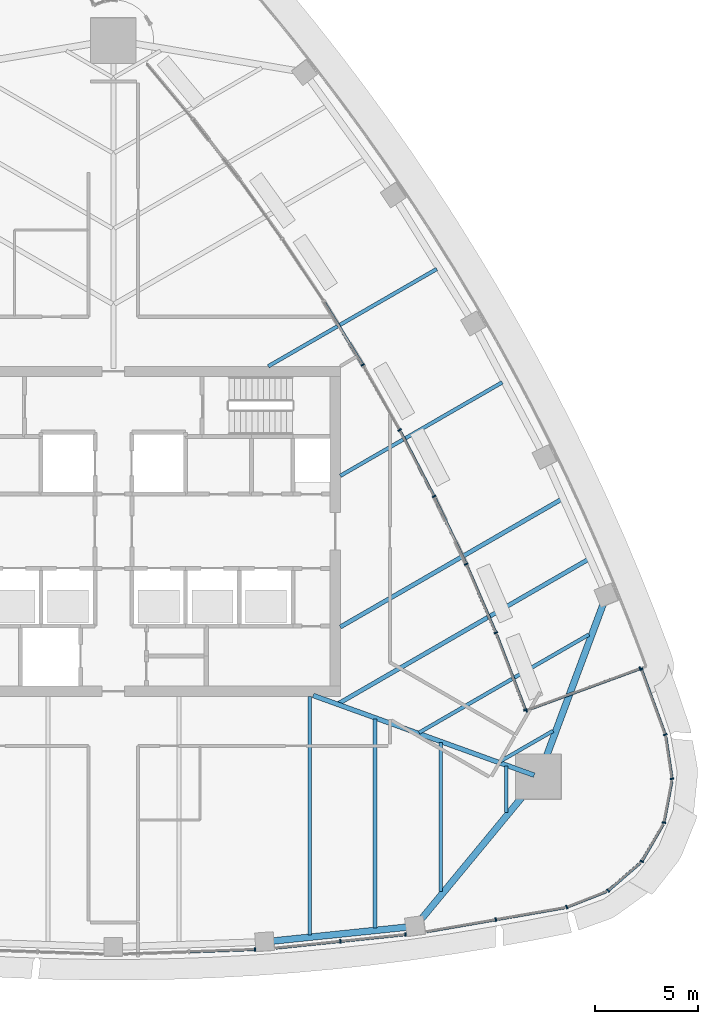
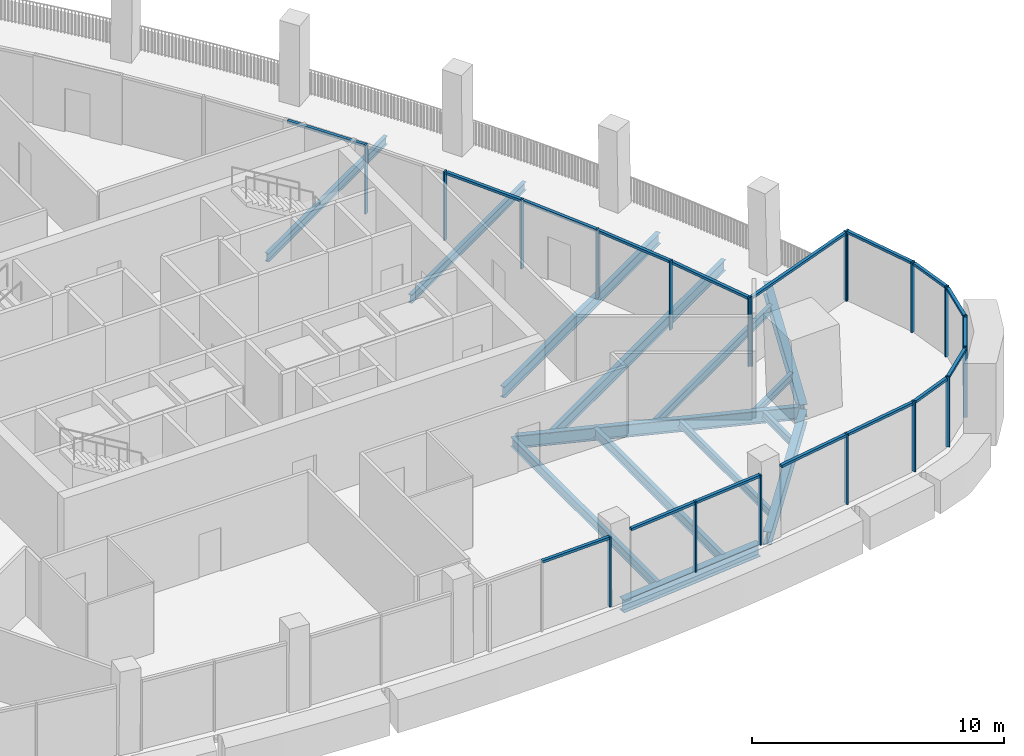
# One storey, part 4 of 18: 36 members, 14 beams, 16 elements without a shape of their own.
"""IFC4 building model written with IfcOpenShell, lengths in metres."""

from ifc_helpers import new_model, si_unit, direction, frame, origin, origin_2d, place, context, subcontext, project, spatial, rectangle, i_section, extrude, material, layer, layer_set, material_profile, profile_set, type_object, element, aggregate, save


model = new_model("IFC4")

# Units and contexts
model_context = context("Model", 3, precision=1e-05, world=origin(), true_north=direction((0.0, 1.0)))
body_context = subcontext(model_context, "Body", "Model", "MODEL_VIEW")
ifc_project = project(units=[si_unit("LENGTHUNIT", "METRE"), si_unit("AREAUNIT", "SQUARE_METRE"), si_unit("VOLUMEUNIT", "CUBIC_METRE"), si_unit("PLANEANGLEUNIT", "RADIAN"), si_unit("MASSUNIT", "GRAM", prefix="KILO")], contexts=[model_context])

# Site, building, storey
site_placement = place(None, origin())
site = spatial("IfcSite", under=ifc_project, at=site_placement, CompositionType="ELEMENT")
building_placement = place(site_placement, origin())
building = spatial("IfcBuilding", under=site, at=building_placement, Name="Sierra Prisma Convention Tower", CompositionType="ELEMENT")
storey_placement = place(building_placement, frame((0.0, 0.0, 291.0)))
storey = spatial("IfcBuildingStorey", under=building, at=storey_placement, Name="L66", CompositionType="ELEMENT", Elevation=291.0)

# Curtain wall, member
ifc_material_1 = material(Name="Aluminium and glass curtain wall", Category="aluminium")
ifc_layer_1 = layer(ifc_material_1, 0.179931640625)
ifc_layer_set_1 = layer_set([ifc_layer_1], Name="CW-1 Plain shaft curtain wall")
curtain_wall_type_1 = type_object("IfcCurtainWallType", Name="CW-1 Plain shaft curtain wall", PredefinedType="NOTDEFINED", material=ifc_layer_set_1)
curtain_wall_1_placement = place(storey_placement, origin())
curtain_wall_1 = element("IfcCurtainWall", 1, at=curtain_wall_1_placement, inside=storey, type_object=curtain_wall_type_1, Name="CW-1 S4 L66", PredefinedType="NOTDEFINED")
ifc_material_2 = material(Name="Aluminium 6063-T6 bronze anodised", Category="aluminium")
ifc_material_profile_1 = material_profile(ifc_material_2, rectangle(XDim=0.179931640625, YDim=0.070068359375, at=origin_2d()), Name="ALU MULLION 70x180")
ifc_profile_set_1 = profile_set([ifc_material_profile_1], Name="Aluminium 6063-T6 bronze anodised")
member_type_1 = type_object("IfcMemberType", Name="CW mullion bronze", PredefinedType="MULLION", material=ifc_profile_set_1)
member_1_placement = place(storey_placement, frame((6.865478515625, -20.270751953125, 0.0), z_axis=(0.0, 0.0, 1.0), x_axis=(-0.03440708538, 0.999407900947, 0.0)))
member_1 = element("IfcMember", 2, at=member_1_placement, type_object=member_type_1, Name="CW-1 mullion S4.3", PredefinedType="MULLION", context=body_context, shape_type="SweptSolid", body=[
    extrude(rectangle(XDim=0.179931640625, YDim=0.070068359375, at=origin_2d()), origin(), (0.0, 0.0, 1.0), 3.39990234375),
])

# Curtain wall, members
curtain_wall_2_placement = place(storey_placement, origin())
curtain_wall_2 = element("IfcCurtainWall", 3, at=curtain_wall_2_placement, inside=storey, type_object=curtain_wall_type_1, Name="CW-1 S5 L66", PredefinedType="NOTDEFINED")
member_2_placement = place(storey_placement, frame((11.004150390625, -19.876220703125, 0.0), z_axis=(0.0, 0.0, 1.0), x_axis=(-0.10305832515, 0.994675314672, 0.0)))
member_2 = element("IfcMember", 4, at=member_2_placement, type_object=member_type_1, Name="CW-1 mullion S5.2", PredefinedType="MULLION", context=body_context, shape_type="SweptSolid", body=[
    extrude(rectangle(XDim=0.179931640625, YDim=0.070068359375, at=origin_2d()), origin(), (0.0, 0.0, 1.0), 3.39990234375),
])
member_3_placement = place(storey_placement, frame((14.163818359375, -19.549072265625, 0.0), z_axis=(0.0, 0.0, 1.0), x_axis=(-0.10305832515, 0.994675314672, 0.0)))
member_3 = element("IfcMember", 5, at=member_3_placement, type_object=member_type_1, Name="CW-1 mullion S5.3", PredefinedType="MULLION", context=body_context, shape_type="SweptSolid", body=[
    extrude(rectangle(XDim=0.179931640625, YDim=0.070068359375, at=origin_2d()), origin(), (0.0, 0.0, 1.0), 3.39990234375),
])

# Curtain wall, member
curtain_wall_3_placement = place(storey_placement, origin())
curtain_wall_3 = element("IfcCurtainWall", 6, at=curtain_wall_3_placement, inside=storey, type_object=curtain_wall_type_1, Name="CW-1 S6 L66", PredefinedType="NOTDEFINED")
member_4_placement = place(storey_placement, frame((18.540283203125, -18.8251953125, 0.0), z_axis=(0.0, 0.0, 1.0), x_axis=(-0.171221543548, 0.985232552764, 0.0)))
member_4 = element("IfcMember", 7, at=member_4_placement, type_object=member_type_1, Name="CW-1 mullion S6.2", PredefinedType="MULLION", context=body_context, shape_type="SweptSolid", body=[
    extrude(rectangle(XDim=0.179931640625, YDim=0.070068359375, at=origin_2d()), origin(), (0.0, 0.0, 1.0), 3.39990234375),
])

curtain_wall_4_placement = place(storey_placement, origin())
curtain_wall_4 = element("IfcCurtainWall", 8, at=curtain_wall_4_placement, inside=storey, type_object=curtain_wall_type_1, Name="CW-1 SE1 L66", PredefinedType="NOTDEFINED")
member_5_placement = place(storey_placement, frame((21.97998046875, -18.220458984375, 0.0), z_axis=(0.0, 0.0, 1.0), x_axis=(-0.365924608645, 0.930644497533, 0.0)))
member_5 = element("IfcMember", 9, at=member_5_placement, type_object=member_type_1, Name="CW-1 mullion SE1.1", PredefinedType="MULLION", context=body_context, shape_type="SweptSolid", body=[
    extrude(rectangle(XDim=0.179931640625, YDim=0.070068359375, at=origin_2d()), origin(), (0.0, 0.0, 1.0), 3.39990234375),
])

curtain_wall_5_placement = place(storey_placement, origin())
curtain_wall_5 = element("IfcCurtainWall", 10, at=curtain_wall_5_placement, inside=storey, type_object=curtain_wall_type_1, Name="CW-1 SE2 L66", PredefinedType="NOTDEFINED")
member_6_placement = place(storey_placement, frame((23.987548828125, -17.418701171875, 0.0), z_axis=(0.0, 0.0, 1.0), x_axis=(-0.652525002665, 0.757767194392, 0.0)))
member_6 = element("IfcMember", 11, at=member_6_placement, type_object=member_type_1, Name="CW-1 mullion SE2.1", PredefinedType="MULLION", context=body_context, shape_type="SweptSolid", body=[
    extrude(rectangle(XDim=0.179931640625, YDim=0.070068359375, at=origin_2d()), origin(), (0.0, 0.0, 1.0), 3.39990234375),
])

curtain_wall_6_placement = place(storey_placement, origin())
curtain_wall_6 = element("IfcCurtainWall", 12, at=curtain_wall_6_placement, inside=storey, type_object=curtain_wall_type_1, Name="CW-1 SE3 L66", PredefinedType="NOTDEFINED")
member_7_placement = place(storey_placement, frame((25.617919921875, -15.999267578125, 0.0), z_axis=(0.0, 0.0, 1.0), x_axis=(-0.866025403784, 0.5, 0.0)))
member_7 = element("IfcMember", 13, at=member_7_placement, type_object=member_type_1, Name="CW-1 mullion SE3.1", PredefinedType="MULLION", context=body_context, shape_type="SweptSolid", body=[
    extrude(rectangle(XDim=0.179931640625, YDim=0.070068359375, at=origin_2d()), origin(), (0.0, 0.0, 1.0), 3.39990234375),
])

curtain_wall_7_placement = place(storey_placement, origin())
curtain_wall_7 = element("IfcCurtainWall", 14, at=curtain_wall_7_placement, inside=storey, type_object=curtain_wall_type_1, Name="CW-1 SE4 L66", PredefinedType="NOTDEFINED")
member_8_placement = place(storey_placement, frame((26.68896484375, -14.12158203125, 0.0), z_axis=(0.0, 0.0, 1.0), x_axis=(-0.982508141831, 0.186219631717, 0.0)))
member_8 = element("IfcMember", 15, at=member_8_placement, type_object=member_type_1, Name="CW-1 mullion SE4.1", PredefinedType="MULLION", context=body_context, shape_type="SweptSolid", body=[
    extrude(rectangle(XDim=0.179931640625, YDim=0.070068359375, at=origin_2d()), origin(), (0.0, 0.0, 1.0), 3.39990234375),
])

curtain_wall_8_placement = place(storey_placement, origin())
curtain_wall_8 = element("IfcCurtainWall", 16, at=curtain_wall_8_placement, inside=storey, type_object=curtain_wall_type_1, Name="CW-1 SE5 L66", PredefinedType="NOTDEFINED")
member_9_placement = place(storey_placement, frame((27.080078125, -11.99560546875, 0.0), z_axis=(0.0, 0.0, 1.0), x_axis=(-0.988924081078, -0.14842224181, 0.0)))
member_9 = element("IfcMember", 17, at=member_9_placement, type_object=member_type_1, Name="CW-1 mullion SE5.1", PredefinedType="MULLION", context=body_context, shape_type="SweptSolid", body=[
    extrude(rectangle(XDim=0.179931640625, YDim=0.070068359375, at=origin_2d()), origin(), (0.0, 0.0, 1.0), 3.39990234375),
])

# Curtain wall, members
curtain_wall_9_placement = place(storey_placement, origin())
curtain_wall_9 = element("IfcCurtainWall", 18, at=curtain_wall_9_placement, inside=storey, type_object=curtain_wall_type_1, Name="CW-1 NE1 L66", PredefinedType="NOTDEFINED")
member_10_placement = place(storey_placement, frame((26.751953125, -9.857666015625, 0.0), z_axis=(0.0, 0.0, 1.0), x_axis=(-0.938847191103, -0.344334069994, 0.0)))
member_10 = element("IfcMember", 19, at=member_10_placement, type_object=member_type_1, Name="CW-1 mullion NE1.1", PredefinedType="MULLION", context=body_context, shape_type="SweptSolid", body=[
    extrude(rectangle(XDim=0.179931640625, YDim=0.070068359375, at=origin_2d()), origin(), (0.0, 0.0, 1.0), 3.39990234375),
])
member_11_placement = place(storey_placement, frame((25.58544921875, -6.676513671875, 0.0), z_axis=(0.0, 0.0, 1.0), x_axis=(-0.938847191103, -0.344334069994, 0.0)))
member_11 = element("IfcMember", 20, at=member_11_placement, type_object=member_type_1, Name="CW-1 mullion NE1.2", PredefinedType="MULLION", context=body_context, shape_type="SweptSolid", body=[
    extrude(rectangle(XDim=0.179931640625, YDim=0.070068359375, at=origin_2d()), origin(), (0.0, 0.0, 1.0), 3.39990234375),
])

# Curtain wall, member
ifc_material_3 = material(Name="Aluminium and glass curtain wall", Category="aluminium")
ifc_layer_2 = layer(ifc_material_3, 0.179931640625)
ifc_layer_set_2 = layer_set([ifc_layer_2], Name="CW-6 Terrace recess curtain wall")
curtain_wall_type_2 = type_object("IfcCurtainWallType", Name="CW-6 Terrace recess curtain wall", PredefinedType="NOTDEFINED", material=ifc_layer_set_2)
curtain_wall_10_placement = place(storey_placement, origin())
curtain_wall_10 = element("IfcCurtainWall", 21, at=curtain_wall_10_placement, inside=storey, type_object=curtain_wall_type_2, Name="CW-6 R1 L66", PredefinedType="NOTDEFINED")
member_12_placement = place(storey_placement, frame((19.97265625, -8.660400390625, 0.0), z_axis=(0.0, 0.0, 1.0), x_axis=(-0.933998501228, -0.357276922993, 0.0)))
member_12 = element("IfcMember", 22, at=member_12_placement, type_object=member_type_1, Name="CW-6 mullion R1.1", PredefinedType="MULLION", context=body_context, shape_type="SweptSolid", body=[
    extrude(rectangle(XDim=0.179931640625, YDim=0.070068359375, at=origin_2d()), origin(), (0.0, 0.0, 1.0), 3.340087890625),
])

curtain_wall_11_placement = place(storey_placement, origin())
curtain_wall_11 = element("IfcCurtainWall", 23, at=curtain_wall_11_placement, inside=storey, type_object=curtain_wall_type_2, Name="CW-6 R2 L66", PredefinedType="NOTDEFINED")
member_13_placement = place(storey_placement, frame((18.54052734375, -4.9208984375, 0.0), z_axis=(0.0, 0.0, 1.0), x_axis=(-0.918355727261, -0.395755932624, 0.0)))
member_13 = element("IfcMember", 24, at=member_13_placement, type_object=member_type_1, Name="CW-6 mullion R2.1", PredefinedType="MULLION", context=body_context, shape_type="SweptSolid", body=[
    extrude(rectangle(XDim=0.179931640625, YDim=0.070068359375, at=origin_2d()), origin(), (0.0, 0.0, 1.0), 3.340087890625),
])

curtain_wall_12_placement = place(storey_placement, origin())
curtain_wall_12 = element("IfcCurtainWall", 25, at=curtain_wall_12_placement, inside=storey, type_object=curtain_wall_type_2, Name="CW-6 R3 L66", PredefinedType="NOTDEFINED")
member_14_placement = place(storey_placement, frame((17.103271484375, -1.589111328125, 0.0), z_axis=(0.0, 0.0, 1.0), x_axis=(-0.903555069636, -0.428471978237, 0.0)))
member_14 = element("IfcMember", 26, at=member_14_placement, type_object=member_type_1, Name="CW-6 mullion R3.1", PredefinedType="MULLION", context=body_context, shape_type="SweptSolid", body=[
    extrude(rectangle(XDim=0.179931640625, YDim=0.070068359375, at=origin_2d()), origin(), (0.0, 0.0, 1.0), 3.340087890625),
])

curtain_wall_13_placement = place(storey_placement, origin())
curtain_wall_13 = element("IfcCurtainWall", 27, at=curtain_wall_13_placement, inside=storey, type_object=curtain_wall_type_2, Name="CW-6 R4 L66", PredefinedType="NOTDEFINED")
member_15_placement = place(storey_placement, frame((15.547607421875, 1.68896484375, 0.0), z_axis=(0.0, 0.0, 1.0), x_axis=(-0.887589368912, -0.460635552464, 0.0)))
member_15 = element("IfcMember", 28, at=member_15_placement, type_object=member_type_1, Name="CW-6 mullion R4.1", PredefinedType="MULLION", context=body_context, shape_type="SweptSolid", body=[
    extrude(rectangle(XDim=0.179931640625, YDim=0.070068359375, at=origin_2d()), origin(), (0.0, 0.0, 1.0), 3.340087890625),
])

curtain_wall_14_placement = place(storey_placement, origin())
curtain_wall_14 = element("IfcCurtainWall", 29, at=curtain_wall_14_placement, inside=storey, type_object=curtain_wall_type_2, Name="CW-6 R5 L66", PredefinedType="NOTDEFINED")
member_16_placement = place(storey_placement, frame((13.875, 4.908935546875, 0.0), z_axis=(0.0, 0.0, 1.0), x_axis=(-0.870479211249, -0.492205183621, 0.0)))
member_16 = element("IfcMember", 30, at=member_16_placement, type_object=member_type_1, Name="CW-6 mullion R5.1", PredefinedType="MULLION", context=body_context, shape_type="SweptSolid", body=[
    extrude(rectangle(XDim=0.179931640625, YDim=0.070068359375, at=origin_2d()), origin(), (0.0, 0.0, 1.0), 3.340087890625),
])
aggregate(curtain_wall_14, [member_16])

curtain_wall_15_placement = place(storey_placement, origin())
curtain_wall_15 = element("IfcCurtainWall", 31, at=curtain_wall_15_placement, inside=storey, type_object=curtain_wall_type_2, Name="CW-6 R6 L66", PredefinedType="NOTDEFINED")
member_17_placement = place(storey_placement, frame((12.087890625, 8.06689453125, 0.0), z_axis=(0.0, 0.0, 1.0), x_axis=(-0.852246658477, -0.52314016584, 0.0)))
member_17 = element("IfcMember", 32, at=member_17_placement, type_object=member_type_1, Name="CW-6 mullion R6.1", PredefinedType="MULLION", context=body_context, shape_type="SweptSolid", body=[
    extrude(rectangle(XDim=0.179931640625, YDim=0.070068359375, at=origin_2d()), origin(), (0.0, 0.0, 1.0), 3.340087890625),
])

# Curtain wall, members
curtain_wall_16_placement = place(storey_placement, origin())
curtain_wall_16 = element("IfcCurtainWall", 33, at=curtain_wall_16_placement, inside=storey, type_object=curtain_wall_type_2, Name="CW-6 RT1 L66", PredefinedType="NOTDEFINED")
member_18_placement = place(storey_placement, frame((25.54052734375, -6.65576171875, 0.0), z_axis=(0.0, 0.0, 1.0), x_axis=(0.344334069994, -0.938847191103, 0.0)))
member_18 = element("IfcMember", 34, at=member_18_placement, type_object=member_type_1, Name="CW-6 mullion RT1.1", PredefinedType="MULLION", context=body_context, shape_type="SweptSolid", body=[
    extrude(rectangle(XDim=0.179931640625, YDim=0.070068359375, at=origin_2d()), origin(), (0.0, 0.0, 1.0), 3.340087890625),
])
member_19_placement = place(storey_placement, frame((20.017822265625, -8.68115234375, 0.0), z_axis=(0.0, 0.0, 1.0), x_axis=(0.344334069994, -0.938847191103, 0.0)))
member_19 = element("IfcMember", 35, at=member_19_placement, type_object=member_type_1, Name="CW-6 mullion RT1.2", PredefinedType="MULLION", context=body_context, shape_type="SweptSolid", body=[
    extrude(rectangle(XDim=0.179931640625, YDim=0.070068359375, at=origin_2d()), origin(), (0.0, 0.0, 1.0), 3.340087890625),
])

# Member
ifc_material_4 = material(Name="Aluminium 6063-T6 bronze anodised", Category="aluminium")
ifc_material_profile_2 = material_profile(ifc_material_4, rectangle(XDim=0.139892578125, YDim=0.1201171875, at=origin_2d()), Name="ALU TRANSOM 120x140")
ifc_profile_set_2 = profile_set([ifc_material_profile_2], Name="Aluminium 6063-T6 bronze anodised")
member_type_2 = type_object("IfcMemberType", Name="CW transom bronze", PredefinedType="USERDEFINED", material=ifc_profile_set_2)
member_20_placement = place(storey_placement, frame((3.7099609375, -20.37939453125, 3.340087890625), z_axis=(0.999408040533, 0.034403030655, 0.0), x_axis=(-0.034403030655, 0.999408040533, 0.0)))
member_20 = element("IfcMember", 36, at=member_20_placement, type_object=member_type_2, Name="CW-1 transom S4.2", ObjectType="TRANSOM", PredefinedType="USERDEFINED", context=body_context, shape_type="SweptSolid", body=[
    extrude(rectangle(XDim=0.139892578125, YDim=0.1201171875, at=origin_2d()), origin(), (0.0, 0.0, 1.0), 3.12255859375),
])

aggregate(curtain_wall_1, [member_1, member_20])

member_21_placement = place(storey_placement, frame((7.87939453125, -20.2001953125, 3.340087890625), z_axis=(0.994670415341, 0.103105600453, 0.0), x_axis=(-0.103105600453, 0.994670415341, 0.0)))
member_21 = element("IfcMember", 37, at=member_21_placement, type_object=member_type_2, Name="CW-1 transom S5.1", ObjectType="TRANSOM", PredefinedType="USERDEFINED", context=body_context, shape_type="SweptSolid", body=[
    extrude(rectangle(XDim=0.139892578125, YDim=0.1201171875, at=origin_2d()), origin(), (0.0, 0.0, 1.0), 3.106689453125),
])

member_22_placement = place(storey_placement, frame((11.0390625, -19.872802734375, 3.340087890625), z_axis=(0.994669579808, 0.103113660612, 0.0), x_axis=(-0.103113660612, 0.994669579808, 0.0)))
member_22 = element("IfcMember", 38, at=member_22_placement, type_object=member_type_2, Name="CW-1 transom S5.2", ObjectType="TRANSOM", PredefinedType="USERDEFINED", context=body_context, shape_type="SweptSolid", body=[
    extrude(rectangle(XDim=0.139892578125, YDim=0.1201171875, at=origin_2d()), origin(), (0.0, 0.0, 1.0), 3.1064453125),
])

aggregate(curtain_wall_2, [member_2, member_3, member_21, member_22])

member_23_placement = place(storey_placement, frame((15.201904296875, -19.405517578125, 3.340087890625), z_axis=(0.985228849618, 0.171242850599, 0.0), x_axis=(-0.171242850599, 0.985228849618, 0.0)))
member_23 = element("IfcMember", 39, at=member_23_placement, type_object=member_type_2, Name="CW-1 transom S6.1", ObjectType="TRANSOM", PredefinedType="USERDEFINED", context=body_context, shape_type="SweptSolid", body=[
    extrude(rectangle(XDim=0.139892578125, YDim=0.1201171875, at=origin_2d()), origin(), (0.0, 0.0, 1.0), 3.353271484375),
])

member_24_placement = place(storey_placement, frame((18.57470703125, -18.8193359375, 3.340087890625), z_axis=(0.985228849618, 0.171242850599, 0.0), x_axis=(-0.171242850599, 0.985228849618, 0.0)))
member_24 = element("IfcMember", 40, at=member_24_placement, type_object=member_type_2, Name="CW-1 transom S6.2", ObjectType="TRANSOM", PredefinedType="USERDEFINED", context=body_context, shape_type="SweptSolid", body=[
    extrude(rectangle(XDim=0.139892578125, YDim=0.1201171875, at=origin_2d()), origin(), (0.0, 0.0, 1.0), 3.353271484375),
])

aggregate(curtain_wall_3, [member_4, member_23, member_24])

member_25_placement = place(storey_placement, frame((22.0126953125, -18.20751953125, 3.340087890625), z_axis=(0.930632653175, 0.365954730595, 0.0), x_axis=(-0.365954730595, 0.930632653175, 0.0)))
member_25 = element("IfcMember", 41, at=member_25_placement, type_object=member_type_2, Name="CW-1 transom SE1.1", ObjectType="TRANSOM", PredefinedType="USERDEFINED", context=body_context, shape_type="SweptSolid", body=[
    extrude(rectangle(XDim=0.139892578125, YDim=0.1201171875, at=origin_2d()), origin(), (0.0, 0.0, 1.0), 2.0234375),
])

aggregate(curtain_wall_4, [member_5, member_25])

member_26_placement = place(storey_placement, frame((24.01416015625, -17.395751953125, 3.340087890625), z_axis=(0.757695882419, 0.652607807007, 0.0), x_axis=(-0.652607807007, 0.757695882419, 0.0)))
member_26 = element("IfcMember", 42, at=member_26_placement, type_object=member_type_2, Name="CW-1 transom SE2.1", ObjectType="TRANSOM", PredefinedType="USERDEFINED", context=body_context, shape_type="SweptSolid", body=[
    extrude(rectangle(XDim=0.139892578125, YDim=0.1201171875, at=origin_2d()), origin(), (0.0, 0.0, 1.0), 2.0234375),
])

aggregate(curtain_wall_5, [member_6, member_26])

member_27_placement = place(storey_placement, frame((25.635498046875, -15.968994140625, 3.340087890625), z_axis=(0.499980071345, 0.866036909293, 0.0), x_axis=(-0.866036909293, 0.499980071345, 0.0)))
member_27 = element("IfcMember", 43, at=member_27_placement, type_object=member_type_2, Name="CW-1 transom SE3.1", ObjectType="TRANSOM", PredefinedType="USERDEFINED", context=body_context, shape_type="SweptSolid", body=[
    extrude(rectangle(XDim=0.139892578125, YDim=0.1201171875, at=origin_2d()), origin(), (0.0, 0.0, 1.0), 2.0234375),
])

aggregate(curtain_wall_6, [member_7, member_27])

member_28_placement = place(storey_placement, frame((26.6953125, -14.087158203125, 3.340087890625), z_axis=(0.186269401314, 0.982498707447, 0.0), x_axis=(-0.982498707447, 0.186269401314, 0.0)))
member_28 = element("IfcMember", 44, at=member_28_placement, type_object=member_type_2, Name="CW-1 transom SE4.1", ObjectType="TRANSOM", PredefinedType="USERDEFINED", context=body_context, shape_type="SweptSolid", body=[
    extrude(rectangle(XDim=0.139892578125, YDim=0.1201171875, at=origin_2d()), origin(), (0.0, 0.0, 1.0), 2.023681640625),
])

aggregate(curtain_wall_7, [member_8, member_28])

member_29_placement = place(storey_placement, frame((27.074951171875, -11.9609375, 3.340087890625), z_axis=(-0.148511533694, 0.988910675622, 0.0), x_axis=(-0.988910675622, -0.148511533694, 0.0)))
member_29 = element("IfcMember", 45, at=member_29_placement, type_object=member_type_2, Name="CW-1 transom SE5.1", ObjectType="TRANSOM", PredefinedType="USERDEFINED", context=body_context, shape_type="SweptSolid", body=[
    extrude(rectangle(XDim=0.139892578125, YDim=0.1201171875, at=origin_2d()), origin(), (0.0, 0.0, 1.0), 2.023681640625),
])

aggregate(curtain_wall_8, [member_9, member_29])

member_30_placement = place(storey_placement, frame((26.739990234375, -9.82470703125, 3.340087890625), z_axis=(-0.344341124286, 0.938844603822, 0.0), x_axis=(-0.938844603822, -0.344341124286, 0.0)))
member_30 = element("IfcMember", 46, at=member_30_placement, type_object=member_type_2, Name="CW-1 transom NE1.1", ObjectType="TRANSOM", PredefinedType="USERDEFINED", context=body_context, shape_type="SweptSolid", body=[
    extrude(rectangle(XDim=0.139892578125, YDim=0.1201171875, at=origin_2d()), origin(), (0.0, 0.0, 1.0), 3.318115234375),
])

aggregate(curtain_wall_9, [member_10, member_11, member_30])

member_31_placement = place(storey_placement, frame((19.9599609375, -8.6279296875, 3.280029296875), z_axis=(-0.357263911639, 0.934003478281, 0.0), x_axis=(-0.934003478281, -0.357263911639, 0.0)))
member_31 = element("IfcMember", 47, at=member_31_placement, type_object=member_type_2, Name="CW-6 transom R1.1", ObjectType="TRANSOM", PredefinedType="USERDEFINED", context=body_context, shape_type="SweptSolid", body=[
    extrude(rectangle(XDim=0.139892578125, YDim=0.1201171875, at=origin_2d()), origin(), (0.0, 0.0, 1.0), 3.864501953125),
])

aggregate(curtain_wall_10, [member_12, member_31])

member_32_placement = place(storey_placement, frame((18.526611328125, -4.888671875, 3.280029296875), z_axis=(-0.395768291365, 0.91835040129, 0.0), x_axis=(-0.91835040129, -0.395768291365, 0.0)))
member_32 = element("IfcMember", 48, at=member_32_placement, type_object=member_type_2, Name="CW-6 transom R2.1", ObjectType="TRANSOM", PredefinedType="USERDEFINED", context=body_context, shape_type="SweptSolid", body=[
    extrude(rectangle(XDim=0.139892578125, YDim=0.1201171875, at=origin_2d()), origin(), (0.0, 0.0, 1.0), 3.488525390625),
])

aggregate(curtain_wall_11, [member_13, member_32])

member_33_placement = place(storey_placement, frame((17.08837890625, -1.5576171875, 3.280029296875), z_axis=(-0.428444308117, 0.903568190477, 0.0), x_axis=(-0.903568190477, -0.428444308117, 0.0)))
member_33 = element("IfcMember", 49, at=member_33_placement, type_object=member_type_2, Name="CW-6 transom R3.1", ObjectType="TRANSOM", PredefinedType="USERDEFINED", context=body_context, shape_type="SweptSolid", body=[
    extrude(rectangle(XDim=0.139892578125, YDim=0.1201171875, at=origin_2d()), origin(), (0.0, 0.0, 1.0), 3.488525390625),
])

aggregate(curtain_wall_12, [member_14, member_33])

member_34_placement = place(storey_placement, frame((15.531494140625, 1.719970703125, 3.280029296875), z_axis=(-0.46062763353, 0.887593478586, 0.0), x_axis=(-0.887593478586, -0.46062763353, 0.0)))
member_34 = element("IfcMember", 50, at=member_34_placement, type_object=member_type_2, Name="CW-6 transom R4.1", ObjectType="TRANSOM", PredefinedType="USERDEFINED", context=body_context, shape_type="SweptSolid", body=[
    extrude(rectangle(XDim=0.139892578125, YDim=0.1201171875, at=origin_2d()), origin(), (0.0, 0.0, 1.0), 3.488525390625),
])

aggregate(curtain_wall_13, [member_15, member_34])

member_35_placement = place(storey_placement, frame((12.069580078125, 8.0966796875, 3.280029296875), z_axis=(-0.523124827516, 0.852256073511, 0.0), x_axis=(-0.852256073511, -0.523124827516, 0.0)))
member_35 = element("IfcMember", 51, at=member_35_placement, type_object=member_type_2, Name="CW-6 transom R6.1", ObjectType="TRANSOM", PredefinedType="USERDEFINED", context=body_context, shape_type="SweptSolid", body=[
    extrude(rectangle(XDim=0.139892578125, YDim=0.1201171875, at=origin_2d()), origin(), (0.0, 0.0, 1.0), 3.488525390625),
])

aggregate(curtain_wall_15, [member_17, member_35])

member_36_placement = place(storey_placement, frame((25.507568359375, -6.667724609375, 3.280029296875), z_axis=(-0.938840559764, -0.344352150192, 0.0), x_axis=(0.344352150192, -0.938840559764, 0.0)))
member_36 = element("IfcMember", 52, at=member_36_placement, type_object=member_type_2, Name="CW-6 transom RT1.1", ObjectType="TRANSOM", PredefinedType="USERDEFINED", context=body_context, shape_type="SweptSolid", body=[
    extrude(rectangle(XDim=0.139892578125, YDim=0.1201171875, at=origin_2d()), origin(), (0.0, 0.0, 1.0), 5.812255859375),
])

aggregate(curtain_wall_16, [member_18, member_19, member_36])

# Beams
ifc_material_5 = material(Name="Steel ASTM A992 Gr 50", Category="steel")
ifc_material_profile_3 = material_profile(ifc_material_5, i_section(OverallWidth=0.172119140625, OverallDepth=0.35791015625, WebThickness=0.0078125, FlangeThickness=0.01318359375, at=origin_2d()), Name="W360x57")
ifc_profile_set_3 = profile_set([ifc_material_profile_3], Name="Steel ASTM A992 Gr 50")
beam_type_1 = type_object("IfcBeamType", Name="Floor joist W360x57", PredefinedType="JOIST", material=ifc_profile_set_3)
beam_1_placement = place(storey_placement, frame((15.86328125, -17.46337890625, -0.3291015625), z_axis=(0.0, 1.0, 0.0), x_axis=(-1.0, 0.0, 0.0)))
element("IfcBeam", 53, at=beam_1_placement, inside=storey, type_object=beam_type_1, Name="Floor joist L66 S12", PredefinedType="JOIST", context=body_context, shape_type="SweptSolid", body=[
    extrude(i_section(OverallWidth=0.172119140625, OverallDepth=0.35791015625, WebThickness=0.0078125, FlangeThickness=0.01318359375, at=origin_2d()), origin(), (0.0, 0.0, 1.0), 7.22607421875),
])
beam_2_placement = place(storey_placement, frame((19.035888671875, -13.621826171875, -0.3291015625), z_axis=(0.0, 1.0, 0.0), x_axis=(-1.0, 0.0, 0.0)))
element("IfcBeam", 54, at=beam_2_placement, inside=storey, type_object=beam_type_1, Name="Floor joist L66 S13", PredefinedType="JOIST", context=body_context, shape_type="SweptSolid", body=[
    extrude(i_section(OverallWidth=0.172119140625, OverallDepth=0.35791015625, WebThickness=0.0078125, FlangeThickness=0.01318359375, at=origin_2d()), origin(), (0.0, 0.0, 1.0), 2.2392578125),
])
beam_3_placement = place(storey_placement, frame((21.314697265625, -9.674560546875, -0.3291015625), z_axis=(-0.866021254674, -0.500007186402, 0.0), x_axis=(0.500007186402, -0.866021254674, 0.0)))
element("IfcBeam", 55, at=beam_3_placement, inside=storey, type_object=beam_type_1, Name="Floor joist L66 NE01", PredefinedType="JOIST", context=body_context, shape_type="SweptSolid", body=[
    extrude(i_section(OverallWidth=0.172119140625, OverallDepth=0.35791015625, WebThickness=0.0078125, FlangeThickness=0.01318359375, at=origin_2d()), origin(), (0.0, 0.0, 1.0), 2.99365234375),
])
ifc_material_6 = material(Name="Steel ASTM A992 Gr 50", Category="steel")
ifc_material_profile_4 = material_profile(ifc_material_6, i_section(OverallWidth=0.177978515625, OverallDepth=0.406982421875, WebThickness=0.0078125, FlangeThickness=0.0126953125, at=origin_2d()), Name="W410x60")
ifc_profile_set_4 = profile_set([ifc_material_profile_4], Name="Steel ASTM A992 Gr 50")
beam_type_2 = type_object("IfcBeamType", Name="Floor joist W410x60", PredefinedType="JOIST", material=ifc_profile_set_4)
beam_4_placement = place(storey_placement, frame((23.055419921875, -5.006103515625, -0.50341796875), z_axis=(-0.866024879027, -0.500000908906, 0.0), x_axis=(0.500000908906, -0.866024879027, 0.0)))
element("IfcBeam", 56, at=beam_4_placement, inside=storey, type_object=beam_type_2, Name="Floor joist L66 NE02", PredefinedType="JOIST", context=body_context, shape_type="SweptSolid", body=[
    extrude(i_section(OverallWidth=0.177978515625, OverallDepth=0.406982421875, WebThickness=0.0078125, FlangeThickness=0.0126953125, at=origin_2d()), origin(), (0.0, 0.0, 1.0), 9.51220703125),
])
beam_5_placement = place(storey_placement, frame((18.850830078125, 7.219970703125, -0.50341796875), z_axis=(-0.866035346426, -0.499982778443, 0.0), x_axis=(0.499982778443, -0.866035346426, 0.0)))
element("IfcBeam", 57, at=beam_5_placement, inside=storey, type_object=beam_type_2, Name="Floor joist L66 NE06", PredefinedType="JOIST", context=body_context, shape_type="SweptSolid", body=[
    extrude(i_section(OverallWidth=0.177978515625, OverallDepth=0.406982421875, WebThickness=0.0078125, FlangeThickness=0.0126953125, at=origin_2d()), origin(), (0.0, 0.0, 1.0), 9.065185546875),
])
beam_6_placement = place(storey_placement, frame((15.67822265625, 12.71533203125, -0.50341796875), z_axis=(-0.866020036431, -0.500009296414, 0.0), x_axis=(0.500009296414, -0.866020036431, 0.0)))
element("IfcBeam", 58, at=beam_6_placement, inside=storey, type_object=beam_type_2, Name="Floor joist L66 NE08", PredefinedType="JOIST", context=body_context, shape_type="SweptSolid", body=[
    extrude(i_section(OverallWidth=0.177978515625, OverallDepth=0.406982421875, WebThickness=0.0078125, FlangeThickness=0.0126953125, at=origin_2d()), origin(), (0.0, 0.0, 1.0), 9.430419921875),
])
ifc_material_7 = material(Name="Steel ASTM A992 Gr 50", Category="steel")
ifc_material_profile_5 = material_profile(ifc_material_7, i_section(OverallWidth=0.18994140625, OverallDepth=0.45703125, WebThickness=0.009033203125, FlangeThickness=0.014404296875, at=origin_2d()), Name="W460x74")
ifc_profile_set_5 = profile_set([ifc_material_profile_5], Name="Steel ASTM A992 Gr 50")
beam_type_3 = type_object("IfcBeamType", Name="Floor joist W460x74", PredefinedType="JOIST", material=ifc_profile_set_5)
beam_7_placement = place(storey_placement, frame((9.517822265625, -19.565185546875, -0.37841796875), z_axis=(0.0, 1.0, 0.0), x_axis=(-1.0, 0.0, 0.0)))
element("IfcBeam", 59, at=beam_7_placement, inside=storey, type_object=beam_type_3, Name="Floor joist L66 S10", PredefinedType="JOIST", context=body_context, shape_type="SweptSolid", body=[
    extrude(i_section(OverallWidth=0.18994140625, OverallDepth=0.45703125, WebThickness=0.009033203125, FlangeThickness=0.014404296875, at=origin_2d()), origin(), (0.0, 0.0, 1.0), 11.565185546875),
])
beam_8_placement = place(storey_placement, frame((12.6904296875, -19.236572265625, -0.37841796875), z_axis=(0.0, 1.0, 0.0), x_axis=(-1.0, 0.0, 0.0)))
element("IfcBeam", 60, at=beam_8_placement, inside=storey, type_object=beam_type_3, Name="Floor joist L66 S11", PredefinedType="JOIST", context=body_context, shape_type="SweptSolid", body=[
    extrude(i_section(OverallWidth=0.18994140625, OverallDepth=0.45703125, WebThickness=0.009033203125, FlangeThickness=0.014404296875, at=origin_2d()), origin(), (0.0, 0.0, 1.0), 10.144287109375),
])
ifc_material_8 = material(Name="Steel ASTM A992 Gr 50", Category="steel")
ifc_material_profile_6 = material_profile(ifc_material_8, i_section(OverallWidth=0.208984375, OverallDepth=0.532958984375, WebThickness=0.01025390625, FlangeThickness=0.015625, at=origin_2d()), Name="W530x92")
ifc_profile_set_6 = profile_set([ifc_material_profile_6], Name="Steel ASTM A992 Gr 50")
beam_type_4 = type_object("IfcBeamType", Name="Floor joist W530x92", PredefinedType="JOIST", material=ifc_profile_set_6)
beam_9_placement = place(storey_placement, frame((23.004638671875, -1.3720703125, -0.56640625), z_axis=(-0.866024263715, -0.500001974653, 0.0), x_axis=(0.500001974653, -0.866024263715, 0.0)))
element("IfcBeam", 61, at=beam_9_placement, inside=storey, type_object=beam_type_4, Name="Floor joist L66 NE03", PredefinedType="JOIST", context=body_context, shape_type="SweptSolid", body=[
    extrude(i_section(OverallWidth=0.208984375, OverallDepth=0.532958984375, WebThickness=0.01025390625, FlangeThickness=0.015625, at=origin_2d()), origin(), (0.0, 0.0, 1.0), 13.9619140625),
])
beam_10_placement = place(storey_placement, frame((21.702880859375, 1.539794921875, -0.56640625), z_axis=(-0.866029325378, -0.499993207539, 0.0), x_axis=(0.499993207539, -0.866029325378, 0.0)))
element("IfcBeam", 62, at=beam_10_placement, inside=storey, type_object=beam_type_4, Name="Floor joist L66 NE04", PredefinedType="JOIST", context=body_context, shape_type="SweptSolid", body=[
    extrude(i_section(OverallWidth=0.208984375, OverallDepth=0.532958984375, WebThickness=0.01025390625, FlangeThickness=0.015625, at=origin_2d()), origin(), (0.0, 0.0, 1.0), 12.358642578125),
])
ifc_material_9 = material(Name="Steel ASTM A992 Gr 50", Category="steel")
ifc_material_profile_7 = material_profile(ifc_material_9, i_section(OverallWidth=0.22998046875, OverallDepth=0.616943359375, WebThickness=0.01318359375, FlangeThickness=0.022216796875, at=origin_2d()), Name="W610x140")
ifc_profile_set_7 = profile_set([ifc_material_profile_7], Name="Steel ASTM A992 Gr 50")
beam_type_5 = type_object("IfcBeamType", Name="Radial girder W610x140", PredefinedType="BEAM", material=ifc_profile_set_7)
beam_11_placement = place(storey_placement, frame((20.402099609375, -11.826904296875, -0.45849609375), z_axis=(-0.940600483911, 0.339515433619, 0.0), x_axis=(-0.339515433619, -0.940600483911, 0.0)))
element("IfcBeam", 63, at=beam_11_placement, inside=storey, type_object=beam_type_5, Name="Radial girder L66 SE", PredefinedType="BEAM", context=body_context, shape_type="SweptSolid", body=[
    extrude(i_section(OverallWidth=0.22998046875, OverallDepth=0.616943359375, WebThickness=0.01318359375, FlangeThickness=0.022216796875, at=origin_2d()), origin(), (0.0, 0.0, 1.0), 11.391845703125),
])
ifc_material_10 = material(Name="Steel ASTM A992 Gr 50", Category="steel")
ifc_material_profile_8 = material_profile(ifc_material_10, i_section(OverallWidth=0.324951171875, OverallDepth=0.615966796875, WebThickness=0.013916015625, FlangeThickness=0.021484375, at=origin_2d()), Name="W610x174")
ifc_profile_set_8 = profile_set([ifc_material_profile_8], Name="Steel ASTM A992 Gr 50")
beam_type_6 = type_object("IfcBeamType", Name="Spandrel beam W610x174", PredefinedType="BEAM", material=ifc_profile_set_8)
beam_12_placement = place(storey_placement, frame((7.666748046875, -19.870361328125, -0.4580078125), z_axis=(0.994677469853, 0.103037522131, 0.0), x_axis=(-0.103037522131, 0.994677469853, 0.0)))
element("IfcBeam", 64, at=beam_12_placement, inside=storey, type_object=beam_type_6, Name="Spandrel L66-05", PredefinedType="BEAM", context=body_context, shape_type="SweptSolid", body=[
    extrude(i_section(OverallWidth=0.324951171875, OverallDepth=0.615966796875, WebThickness=0.013916015625, FlangeThickness=0.021484375, at=origin_2d()), origin(), (0.0, 0.0, 1.0), 6.681884765625),
])
beam_13_placement = place(storey_placement, frame((14.954345703125, -18.769287109375, -0.4580078125), z_axis=(0.636766467072, 0.771056720619, 0.0), x_axis=(-0.771056720619, 0.636766467072, 0.0)))
element("IfcBeam", 65, at=beam_13_placement, inside=storey, type_object=beam_type_6, Name="Spandrel L66-06", PredefinedType="BEAM", context=body_context, shape_type="SweptSolid", body=[
    extrude(i_section(OverallWidth=0.324951171875, OverallDepth=0.615966796875, WebThickness=0.013916015625, FlangeThickness=0.021484375, at=origin_2d()), origin(), (0.0, 0.0, 1.0), 8.615478515625),
])
beam_14_placement = place(storey_placement, frame((20.7041015625, -11.686279296875, -0.60791015625), z_axis=(0.349356877904, 0.936989739464, 0.0), x_axis=(-0.936989739464, 0.349356877904, 0.0)))
element("IfcBeam", 66, at=beam_14_placement, inside=storey, type_object=beam_type_6, Name="Spandrel L66-07", PredefinedType="BEAM", context=body_context, shape_type="SweptSolid", body=[
    extrude(i_section(OverallWidth=0.324951171875, OverallDepth=0.615966796875, WebThickness=0.013916015625, FlangeThickness=0.021484375, at=origin_2d()), origin(), (0.0, 0.0, 1.0), 8.666259765625),
])

save(model, "model.ifc")
